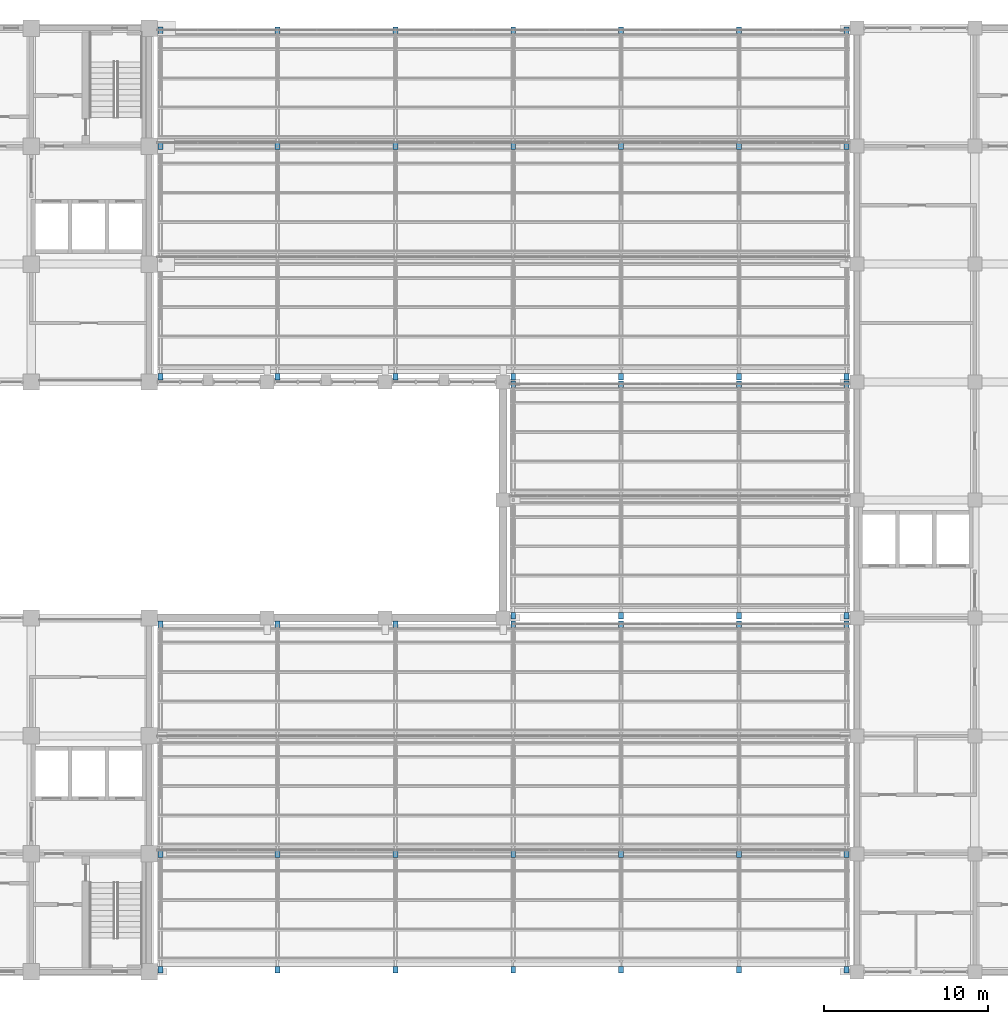
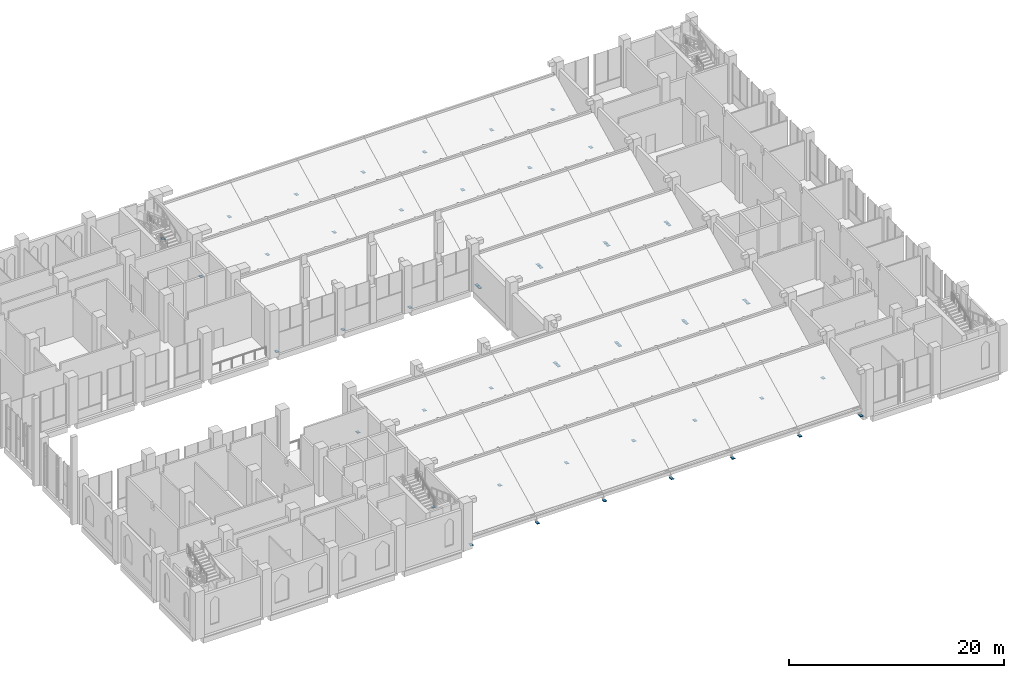
# One storey, part 78 of 83: 50 discrete accessories.
"""IFC4 building model written with IfcOpenShell, lengths in metres."""

import ifcopenshell
import ifcopenshell.guid

model = None  # the IFC model being written
_history = None  # IfcOwnerHistory: only IFC2X3 demands one
_inside = {}  # id of a spatial element -> (the spatial element, [elements in it])
_under = {}  # id of a project, library or spatial element -> (it, [spatial elements below it])
_declared = {}  # id of a project -> (the project, [libraries it declares])
_typed = {}  # id of a type object -> (the type object, [elements of that type])
_made_of = {}  # id of a material, layer set ... -> (it, [elements and type objects made of it])


def new_model(schema):
    """Start an empty IFC model of exactly this schema.

    Asked for "IFC4X3", IfcOpenShell would pick the latest addendum, in which some entities
    have other attributes; the version numbers below select the first issue.
    IFC2X3 requires an IfcOwnerHistory on every rooted entity: one is made here for all.
    """
    global model, _history
    if schema == "IFC4X3":
        model = ifcopenshell.file(schema_version=(4, 3, 0, 0))
    else:
        model = ifcopenshell.file(schema=schema)
    _inside.clear()
    _under.clear()
    _declared.clear()
    _typed.clear()
    _made_of.clear()
    _history = None
    if model.schema == "IFC2X3":
        org = make("IfcOrganization", Name="unknown")
        user = make(
            "IfcPersonAndOrganization",
            ThePerson=make("IfcPerson", FamilyName="unknown"),
            TheOrganization=org,
        )
        app = make(
            "IfcApplication",
            ApplicationDeveloper=org,
            Version="unknown",
            ApplicationFullName="unknown",
            ApplicationIdentifier="unknown",
        )
        _history = make(
            "IfcOwnerHistory",
            OwningUser=user,
            OwningApplication=app,
            ChangeAction="ADDED",
            CreationDate=0,
        )
    return model


def make(cls, **values):
    """One entity of the class cls with the attributes given. An attribute that is None is left unset."""
    return model.create_entity(
        cls, **{name: value for name, value in values.items() if value is not None}
    )


def rooted(cls, **values):
    """An entity with a GlobalId (a new one), such as an element, a storey or a relation."""
    return make(cls, GlobalId=ifcopenshell.guid.new(), OwnerHistory=_history, **values)


def si_unit(unit_type, name, prefix=None):
    """IfcSIUnit, for example si_unit("LENGTHUNIT", "METRE", prefix="MILLI")."""
    return make("IfcSIUnit", UnitType=unit_type, Prefix=prefix, Name=name)


def assignment(units):
    """IfcUnitAssignment: the units of a project."""
    return None if units is None else make("IfcUnitAssignment", Units=units)


def point(xyz):
    """IfcCartesianPoint."""
    return None if xyz is None else make("IfcCartesianPoint", Coordinates=xyz)


def direction(xyz):
    """IfcDirection."""
    return None if xyz is None else make("IfcDirection", DirectionRatios=xyz)


def frame(location, z_axis=None, x_axis=None):
    """IfcAxis2Placement3D, a coordinate frame: its origin and axes. An axis left out is left unset."""
    return make(
        "IfcAxis2Placement3D",
        Location=point(location),
        Axis=direction(z_axis),
        RefDirection=direction(x_axis),
    )


def frame_2d(location, x_axis=None):
    """IfcAxis2Placement2D, a coordinate frame in the plane: its origin and x axis."""
    return make(
        "IfcAxis2Placement2D", Location=point(location), RefDirection=direction(x_axis)
    )


def origin():
    """The frame at (0, 0, 0) with its axes left unset."""
    return frame((0.0, 0.0, 0.0))


def origin_2d():
    """The frame at (0, 0) in the plane with its x axis left unset."""
    return frame_2d((0.0, 0.0))


def place(relative_to, where):
    """IfcLocalPlacement: puts the frame where relative to a parent placement (None: the world)."""
    return make(
        "IfcLocalPlacement", PlacementRelTo=relative_to, RelativePlacement=where
    )


def context(
    kind, dimensions, precision=None, world=None, true_north=None, identifier=None
):
    """IfcGeometricRepresentationContext, for example the 3D "Model" context."""
    return make(
        "IfcGeometricRepresentationContext",
        ContextIdentifier=identifier,
        ContextType=kind,
        CoordinateSpaceDimension=dimensions,
        Precision=precision,
        WorldCoordinateSystem=world,
        TrueNorth=true_north,
    )


def subcontext(parent, identifier, kind, view, scale=None):
    """IfcGeometricRepresentationSubContext, for example "Body" below "Model"."""
    return make(
        "IfcGeometricRepresentationSubContext",
        ContextIdentifier=identifier,
        ContextType=kind,
        ParentContext=parent,
        TargetScale=scale,
        TargetView=view,
    )


def project(units=None, contexts=None):
    """IfcProject with its units and contexts."""
    return rooted(
        "IfcProject",
        Name="project",
        RepresentationContexts=contexts,
        UnitsInContext=assignment(units),
    )


def spatial(cls, under=None, at=None, **own):
    """A site, building, storey or space (cls), placed at a placement, below another one or the project."""
    s = rooted(cls, ObjectPlacement=at, **own)
    if under is not None:
        _under.setdefault(under.id(), (under, []))[1].append(s)
    return s


def profile(cls, at=None, kind="AREA", **sizes):
    """A parametric profile (cls). Its sizes go by their IFC names, for example OverallWidth=200.0."""
    return make(cls, ProfileType=kind, Position=at, **sizes)


def rectangle(**sizes):
    """IfcRectangleProfileDef."""
    return profile("IfcRectangleProfileDef", **sizes)


def extrude(swept, where, along, depth):
    """IfcExtrudedAreaSolid: the profile swept, set in the frame where, extruded along a direction by depth."""
    return make(
        "IfcExtrudedAreaSolid",
        SweptArea=swept,
        Position=where,
        ExtrudedDirection=direction(along),
        Depth=depth,
    )


def shape(context_of_items, identifier, shape_type, items):
    """IfcShapeRepresentation: the items that make up one representation, for example the "Body"."""
    return make(
        "IfcShapeRepresentation",
        ContextOfItems=context_of_items,
        RepresentationIdentifier=identifier,
        RepresentationType=shape_type,
        Items=items,
    )


def material(Name=None, Category=None):
    """IfcMaterial."""
    return make("IfcMaterial", Name=Name, Category=Category)


def made_of(thing, what):
    """Note that an element or type object is made of a material, layer set ...; save() writes the relation."""
    if what is not None:
        _made_of.setdefault(what.id(), (what, []))[1].append(thing)
    return thing


def element(
    cls,
    number,
    at=None,
    inside=None,
    cuts=None,
    type_object=None,
    material=None,
    context=None,
    identifier="Body",
    shape_type=None,
    held_by="IfcProductDefinitionShape",
    body=None,
    shapes=None,
    **own,
):
    """One element of the class cls, such as IfcWall. Its Tag is "e" and its number.

    at: its placement. inside: the storey or other place that contains it. cuts: it is an
    opening in that element (IfcRelVoidsElement). A single representation is given by context,
    identifier, shape_type and body (its items); several are given by shapes. held_by: the class
    of the entity that holds the representations. save() writes the other relations.
    """
    e = rooted(cls, Tag="e%d" % number, ObjectPlacement=at, **own)
    if body is not None:
        shapes = [shape(context, identifier, shape_type, body)]
    if shapes is not None:
        e.Representation = make(held_by, Representations=shapes)
    if inside is not None:
        _inside.setdefault(inside.id(), (inside, []))[1].append(e)
    if cuts is not None:
        rooted(
            "IfcRelVoidsElement", RelatingBuildingElement=cuts, RelatedOpeningElement=e
        )
    if type_object is not None:
        _typed.setdefault(type_object.id(), (type_object, []))[1].append(e)
    return made_of(e, material)


def aggregate(whole, parts):
    """IfcRelAggregates: a whole, such as a stair, and the parts it consists of."""
    return rooted("IfcRelAggregates", RelatingObject=whole, RelatedObjects=parts)


def save(model, path):
    """Write the relations noted so far, then the file.

    IfcRelAggregates (storeys below a building ...), IfcRelContainedInSpatialStructure (elements
    in a storey), IfcRelDefinesByType, IfcRelAssociatesMaterial and IfcRelDeclares: one each for
    every whole, place, type object, material and project.
    """
    for whole, parts in _under.values():
        aggregate(whole, parts)
    for where, things in _inside.values():
        rooted(
            "IfcRelContainedInSpatialStructure",
            RelatedElements=things,
            RelatingStructure=where,
        )
    for kind, things in _typed.values():
        rooted("IfcRelDefinesByType", RelatedObjects=things, RelatingType=kind)
    for what, things in _made_of.values():
        rooted("IfcRelAssociatesMaterial", RelatedObjects=things, RelatingMaterial=what)
    for by, libraries in _declared.values():
        rooted("IfcRelDeclares", RelatingContext=by, RelatedDefinitions=libraries)
    model.write(path)


model = new_model("IFC4")

# Units and contexts
model_context = context("Model", 3, precision=1e-05, world=origin(), true_north=direction((0.0, 1.0)))
body_context = subcontext(model_context, "Body", "Model", "MODEL_VIEW")
ifc_project = project(units=[si_unit("LENGTHUNIT", "METRE"), si_unit("AREAUNIT", "SQUARE_METRE"), si_unit("VOLUMEUNIT", "CUBIC_METRE"), si_unit("PLANEANGLEUNIT", "RADIAN"), si_unit("MASSUNIT", "GRAM", prefix="KILO")], contexts=[model_context])

# Site, building, storey
site_placement = place(None, origin())
site = spatial("IfcSite", under=ifc_project, at=site_placement, CompositionType="ELEMENT")
building_placement = place(site_placement, origin())
building = spatial("IfcBuilding", under=site, at=building_placement, Name="Silangan Lancet Faculty of Sciences", CompositionType="ELEMENT")
storey_placement = place(building_placement, frame((0.0, 0.0, 11.39990234375)))
storey = spatial("IfcBuildingStorey", under=building, at=storey_placement, Name="L02", CompositionType="ELEMENT", Elevation=11.39990234375)

# Discrete accessories
ifc_material = material(Name="Steel SS400", Category="steel")
for number, where, z_axis, x_axis, name in (
    (1, (29.5, 0.1298828125, 0.0), (0.0, 0.0, 1.0), (1.0, 0.0, 0.0), "Truss bearing plate SAB-1-1"),
    (2, (29.5, 7.191650390625, 0.0), (0.0, 0.0, 1.0), (1.0, 0.0, 0.0), "Truss bearing plate SAB-1-2"),
    (3, (29.5, 21.215087890625, 0.0), (0.0, 0.0, 1.0), (1.0, 0.0, 0.0), "Truss bearing plate SAB-1-4"),
    (4, (36.625, 0.1298828125, 0.0), (0.0, 0.0, 1.0), (1.0, 0.0, 0.0), "Truss bearing plate SAB-2-1"),
    (5, (36.625, 7.191650390625, 0.0), (0.0, 0.0, 1.0), (1.0, 0.0, 0.0), "Truss bearing plate SAB-2-2"),
    (6, (36.625, 21.215087890625, 0.0), (0.0, 0.0, 1.0), (1.0, 0.0, 0.0), "Truss bearing plate SAB-2-4"),
    (7, (43.824951171875, 0.1298828125, 0.0), (0.0, 0.0, 1.0), (1.0, 0.0, 0.0), "Truss bearing plate SAB-3-1"),
    (8, (43.824951171875, 7.191650390625, 0.0), (0.0, 0.0, 1.0), (1.0, 0.0, 0.0), "Truss bearing plate SAB-3-2"),
    (9, (43.824951171875, 21.215087890625, 0.0), (0.0, 0.0, 1.0), (1.0, 0.0, 0.0), "Truss bearing plate SAB-3-4"),
    (10, (51.02490234375, 0.1298828125, 0.0), (0.0, 0.0, 1.0), (1.0, 0.0, 0.0), "Truss bearing plate SAB-4-1"),
    (11, (51.02490234375, 7.191650390625, 0.0), (0.0, 0.0, 1.0), (1.0, 0.0, 0.0), "Truss bearing plate SAB-4-2"),
    (12, (51.02490234375, 21.215087890625, 0.0), (0.0, 0.0, 1.0), (1.0, 0.0, 0.0), "Truss bearing plate SAB-4-4"),
    (13, (57.60009765625, 0.1298828125, 0.0), (0.0, 0.0, 1.0), (1.0, 0.0, 0.0), "Truss bearing plate SAB-5-1"),
    (14, (57.60009765625, 7.191650390625, 0.0), (0.0, 0.0, 1.0), (1.0, 0.0, 0.0), "Truss bearing plate SAB-5-2"),
    (15, (57.60009765625, 21.215087890625, 0.0), (0.0, 0.0, 1.0), (1.0, 0.0, 0.0), "Truss bearing plate SAB-5-4"),
    (16, (64.800048828125, 0.1298828125, 0.0), (0.0, 0.0, 1.0), (1.0, 0.0, 0.0), "Truss bearing plate SAB-6-1"),
    (17, (64.800048828125, 7.191650390625, 0.0), (0.0, 0.0, 1.0), (1.0, 0.0, 0.0), "Truss bearing plate SAB-6-2"),
    (18, (64.800048828125, 21.215087890625, 0.0), (0.0, 0.0, 1.0), (1.0, 0.0, 0.0), "Truss bearing plate SAB-6-4"),
    (19, (71.375, 0.1298828125, 0.0), (0.0, 0.0, 1.0), (1.0, 0.0, 0.0), "Truss bearing plate SAB-7-1"),
    (20, (71.375, 7.191650390625, 0.0), (0.0, 0.0, 1.0), (1.0, 0.0, 0.0), "Truss bearing plate SAB-7-2"),
    (21, (71.375, 21.215087890625, 0.0), (0.0, 0.0, 1.0), (1.0, 0.0, 0.0), "Truss bearing plate SAB-7-4"),
    (22, (29.5, 36.324951171875, 0.0), (0.0, 0.0, 1.0), (1.0, 0.0, 0.0), "Truss bearing plate NAB-1-1"),
    (23, (29.5, 50.38818359375, 0.0), (0.0, 0.0, 1.0), (1.0, 0.0, 0.0), "Truss bearing plate NAB-1-3"),
    (24, (29.5, 57.469970703125, 0.0), (0.0, 0.0, 1.0), (1.0, 0.0, 0.0), "Truss bearing plate NAB-1-4"),
    (25, (36.625, 36.324951171875, 0.0), (0.0, 0.0, 1.0), (1.0, 0.0, 0.0), "Truss bearing plate NAB-2-1"),
    (26, (36.625, 50.38818359375, 0.0), (0.0, 0.0, 1.0), (1.0, 0.0, 0.0), "Truss bearing plate NAB-2-3"),
    (27, (36.625, 57.469970703125, 0.0), (0.0, 0.0, 1.0), (1.0, 0.0, 0.0), "Truss bearing plate NAB-2-4"),
    (28, (43.824951171875, 36.324951171875, 0.0), (0.0, 0.0, 1.0), (1.0, 0.0, 0.0), "Truss bearing plate NAB-3-1"),
    (29, (43.824951171875, 50.38818359375, 0.0), (0.0, 0.0, 1.0), (1.0, 0.0, 0.0), "Truss bearing plate NAB-3-3"),
    (30, (43.824951171875, 57.469970703125, 0.0), (0.0, 0.0, 1.0), (1.0, 0.0, 0.0), "Truss bearing plate NAB-3-4"),
    (31, (51.02490234375, 36.324951171875, 0.0), (0.0, 0.0, 1.0), (1.0, 0.0, 0.0), "Truss bearing plate NAB-4-1"),
    (32, (51.02490234375, 50.38818359375, 0.0), (0.0, 0.0, 1.0), (1.0, 0.0, 0.0), "Truss bearing plate NAB-4-3"),
    (33, (51.02490234375, 57.469970703125, 0.0), (0.0, 0.0, 1.0), (1.0, 0.0, 0.0), "Truss bearing plate NAB-4-4"),
    (34, (57.60009765625, 36.324951171875, 0.0), (0.0, 0.0, 1.0), (1.0, 0.0, 0.0), "Truss bearing plate NAB-5-1"),
    (35, (57.60009765625, 50.38818359375, 0.0), (0.0, 0.0, 1.0), (1.0, 0.0, 0.0), "Truss bearing plate NAB-5-3"),
    (36, (57.60009765625, 57.469970703125, 0.0), (0.0, 0.0, 1.0), (1.0, 0.0, 0.0), "Truss bearing plate NAB-5-4"),
    (37, (64.800048828125, 36.324951171875, 0.0), (0.0, 0.0, 1.0), (1.0, 0.0, 0.0), "Truss bearing plate NAB-6-1"),
    (38, (64.800048828125, 50.38818359375, 0.0), (0.0, 0.0, 1.0), (1.0, 0.0, 0.0), "Truss bearing plate NAB-6-3"),
    (39, (64.800048828125, 57.469970703125, 0.0), (0.0, 0.0, 1.0), (1.0, 0.0, 0.0), "Truss bearing plate NAB-6-4"),
    (40, (71.375, 36.324951171875, 0.0), (0.0, 0.0, 1.0), (1.0, 0.0, 0.0), "Truss bearing plate NAB-7-1"),
    (41, (71.375, 50.38818359375, 0.0), (0.0, 0.0, 1.0), (1.0, 0.0, 0.0), "Truss bearing plate NAB-7-3"),
    (42, (71.375, 57.469970703125, 0.0), (0.0, 0.0, 1.0), (1.0, 0.0, 0.0), "Truss bearing plate NAB-7-4"),
    (43, (51.02490234375, 21.72998046875, 0.0), (0.0, 0.0, 1.0), (1.0, 0.0, 0.0), "Truss bearing plate AUD-1-1"),
    (44, (51.02490234375, 35.8701171875, 0.0), (0.0, 0.0, 1.0), (1.0, 0.0, 0.0), "Truss bearing plate AUD-1-3"),
    (45, (57.60009765625, 21.72998046875, 0.0), (0.0, 0.0, 1.0), (1.0, 0.0, 0.0), "Truss bearing plate AUD-2-1"),
    (46, (57.60009765625, 35.8701171875, 0.0), (0.0, 0.0, 1.0), (1.0, 0.0, 0.0), "Truss bearing plate AUD-2-3"),
    (47, (64.800048828125, 21.72998046875, 0.0), (0.0, 0.0, 1.0), (1.0, 0.0, 0.0), "Truss bearing plate AUD-3-1"),
    (48, (64.800048828125, 35.8701171875, 0.0), (0.0, 0.0, 1.0), (1.0, 0.0, 0.0), "Truss bearing plate AUD-3-3"),
    (49, (71.375, 21.72998046875, 0.0), (0.0, 0.0, 1.0), (1.0, 0.0, 0.0), "Truss bearing plate AUD-4-1"),
    (50, (71.375, 35.8701171875, 0.0), (0.0, 0.0, 1.0), (1.0, 0.0, 0.0), "Truss bearing plate AUD-4-3"),
):
    element("IfcDiscreteAccessory", number, at=place(storey_placement, frame(where, z_axis=z_axis, x_axis=x_axis)), inside=storey, material=ifc_material, Name=name, PredefinedType="ANCHORPLATE", context=body_context, shape_type="SweptSolid", body=[
        extrude(rectangle(XDim=0.300048828125, YDim=0.39990234375, at=origin_2d()), origin(), (0.0, 0.0, 1.0), 0.02001953125),
    ])

save(model, "model.ifc")
